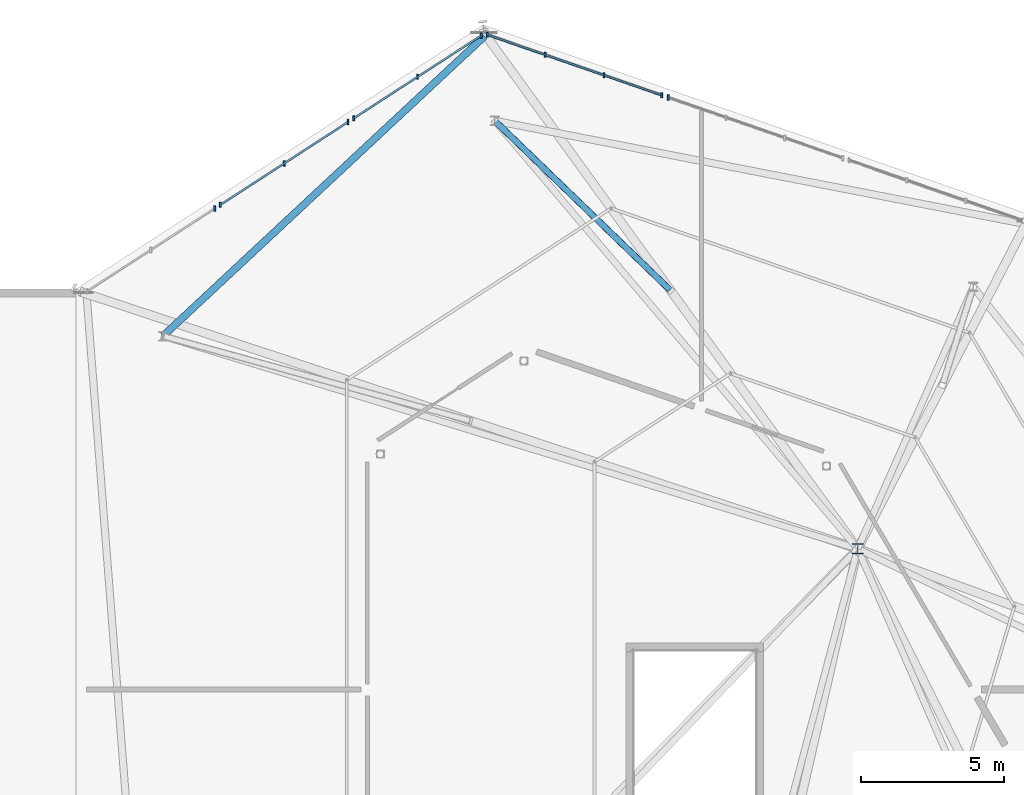
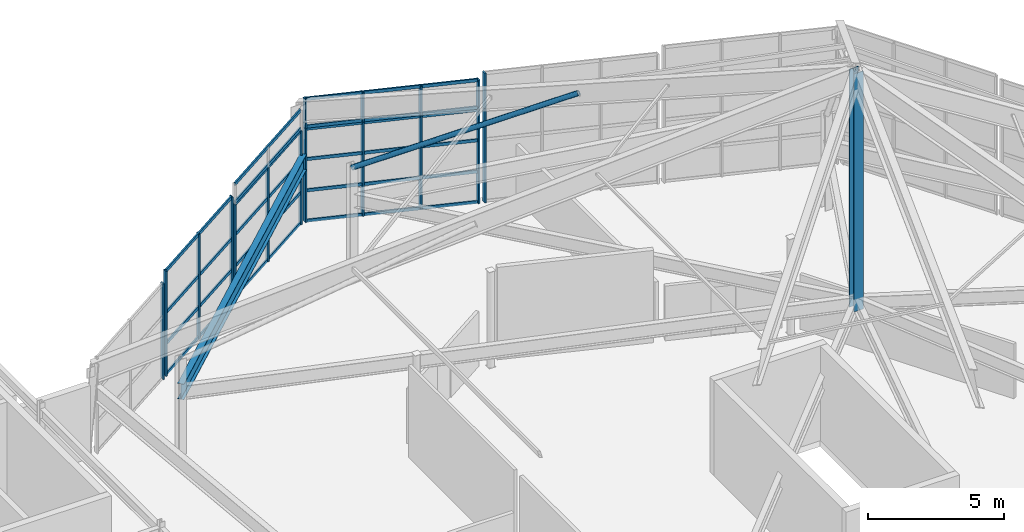
# One storey, part 19 of 50: 35 members, 1 beam, 8 elements without a shape of their own.
"""IFC4 building model written with IfcOpenShell, lengths in metres."""

from ifc_helpers import new_model, si_unit, direction, frame, origin, origin_2d, place, context, subcontext, project, spatial, rectangle, hollow_circle, i_section, extrude, material, material_profile, profile_set, type_object, element, aggregate, save


model = new_model("IFC4")

# Units and contexts
model_context = context("Model", 3, precision=1e-05, world=origin(), true_north=direction((0.0, 1.0)))
body_context = subcontext(model_context, "Body", "Model", "MODEL_VIEW")
ifc_project = project(units=[si_unit("LENGTHUNIT", "METRE"), si_unit("AREAUNIT", "SQUARE_METRE"), si_unit("VOLUMEUNIT", "CUBIC_METRE"), si_unit("PLANEANGLEUNIT", "RADIAN"), si_unit("MASSUNIT", "GRAM", prefix="KILO")], contexts=[model_context])

# Site, building, storey
site_placement = place(None, origin())
site = spatial("IfcSite", under=ifc_project, at=site_placement, CompositionType="ELEMENT")
building_placement = place(site_placement, origin())
building = spatial("IfcBuilding", under=site, at=building_placement, Name="Sarnbrook Museum", CompositionType="ELEMENT")
storey_placement = place(building_placement, frame((0.0, 0.0, 28.10009765625)))
storey = spatial("IfcBuildingStorey", under=building, at=storey_placement, Name="L05", CompositionType="ELEMENT", Elevation=28.10009765625)

# Beam
ifc_material_1 = material(Name="Structural Steel Grade 350L0 (AS/NZS 3678, fy = 340 MPa for 20 < t <= 40 mm)", Category="steel")
ifc_material_profile_1 = material_profile(ifc_material_1, i_section(OverallWidth=0.25, OverallDepth=0.699951171875, WebThickness=0.010009765625, FlangeThickness=0.01611328125, at=origin_2d()), Name="700WB130")
ifc_profile_set_1 = profile_set([ifc_material_profile_1], Name="Structural Steel Grade 350L0 (AS/NZS 3678, fy = 340 MPa for 20 < t <= 40 mm)")
beam_type = type_object("IfcBeamType", Name="BM-WB700", PredefinedType="BEAM", material=ifc_profile_set_1)
beam_placement = place(storey_placement, frame((136.445556640625, 111.426513671875, 2.75), z_axis=(-0.731381498556, -0.681968550279, 0.0), x_axis=(0.681968550279, -0.731381498556, 0.0)))
element("IfcBeam", 1, at=beam_placement, inside=storey, type_object=beam_type, Name="Crystal Roof Eaves Tie Girder ST-6", PredefinedType="BEAM", context=body_context, shape_type="SweptSolid", body=[
    extrude(i_section(OverallWidth=0.25, OverallDepth=0.699951171875, WebThickness=0.010009765625, FlangeThickness=0.01611328125, at=origin_2d()), origin(), (0.0, 0.0, 1.0), 15.375732421875),
])

# Member
ifc_material_profile_2 = material_profile(ifc_material_1, i_section(OverallWidth=0.39990234375, OverallDepth=0.382080078125, WebThickness=0.02490234375, FlangeThickness=0.035888671875, at=origin_2d()), Name="400WC270")
ifc_profile_set_2 = profile_set([ifc_material_profile_2], Name="Structural Steel Grade 350L0 (AS/NZS 3678, fy = 340 MPa for 20 < t <= 40 mm)")
member_type_1 = type_object("IfcMemberType", Name="CH-WC400", PredefinedType="CHORD", material=ifc_profile_set_2)
member_1_placement = place(storey_placement, frame((149.5, 93.5, 2.5), z_axis=(0.0, 0.0, 1.0), x_axis=(1.0, 0.0, 0.0)))
element("IfcMember", 2, at=member_1_placement, inside=storey, type_object=member_type_1, Name="Crystal Roof Apex Hub Post", PredefinedType="CHORD", context=body_context, shape_type="SweptSolid", body=[
    extrude(i_section(OverallWidth=0.39990234375, OverallDepth=0.382080078125, WebThickness=0.02490234375, FlangeThickness=0.035888671875, at=origin_2d()), origin(), (0.0, 0.0, 1.0), 10.64990234375),
])

# Curtain wall, member
ifc_material_2 = material(Name="Thermally Broken Anodised Aluminium 6063-T6", Category="aluminium")
curtain_wall_type_1 = type_object("IfcCurtainWallType", Name="CurtainWall_CrystalFacet", PredefinedType="NOTDEFINED", material=ifc_material_2)
curtain_wall_1_placement = place(storey_placement, origin())
curtain_wall_1 = element("IfcCurtainWall", 3, at=curtain_wall_1_placement, inside=storey, type_object=curtain_wall_type_1, Name="Crystal Hall Facet Curtain Wall L05-F5.2", PredefinedType="NOTDEFINED")
ifc_material_profile_3 = material_profile(ifc_material_2, rectangle(XDim=0.06494140625, YDim=0.179931640625, at=origin_2d()), Name="ALU MULLION 65x180")
ifc_profile_set_3 = profile_set([ifc_material_profile_3], Name="Thermally Broken Anodised Aluminium 6063-T6")
member_type_2 = type_object("IfcMemberType", Name="CW_Mullion_180x75", PredefinedType="MULLION", material=ifc_profile_set_3)
member_2_placement = place(storey_placement, frame((142.87255859375, 109.28271484375, 0.0), z_axis=(0.0, 0.0, 1.0), x_axis=(1.0, 0.0, 0.0)))
member_2 = element("IfcMember", 4, at=member_2_placement, type_object=member_type_2, Name="Crystal Hall Facet Curtain Wall L05-F5.2 Mullion 4", PredefinedType="MULLION", context=body_context, shape_type="SweptSolid", body=[
    extrude(rectangle(XDim=0.06494140625, YDim=0.179931640625, at=origin_2d()), origin(), (0.0, 0.0, 1.0), 4.199951171875),
])
aggregate(curtain_wall_1, [member_2])

curtain_wall_type_2 = type_object("IfcCurtainWallType", Name="CurtainWall_Sawtooth", PredefinedType="NOTDEFINED", material=ifc_material_2)
curtain_wall_2_placement = place(storey_placement, origin())
curtain_wall_2 = element("IfcCurtainWall", 5, at=curtain_wall_2_placement, inside=storey, type_object=curtain_wall_type_2, Name="Crystal Roof Folded Eaves Clerestory 9", PredefinedType="NOTDEFINED")
member_3_placement = place(storey_placement, frame((142.87255859375, 109.28271484375, 4.219970703125), z_axis=(0.0, 0.0, 1.0), x_axis=(1.0, 0.0, 0.0)))
member_3 = element("IfcMember", 6, at=member_3_placement, type_object=member_type_2, Name="Crystal Roof Folded Eaves Clerestory 9 Mullion 4", PredefinedType="MULLION", context=body_context, shape_type="SweptSolid", body=[
    extrude(rectangle(XDim=0.06494140625, YDim=0.179931640625, at=origin_2d()), origin(), (0.0, 0.0, 1.0), 1.593017578125),
])
aggregate(curtain_wall_2, [member_3])

# Curtain wall, members
curtain_wall_3_placement = place(storey_placement, origin())
curtain_wall_3 = element("IfcCurtainWall", 7, at=curtain_wall_3_placement, inside=storey, type_object=curtain_wall_type_1, Name="Crystal Hall Facet Curtain Wall L05-F5.3", PredefinedType="NOTDEFINED")
member_4_placement = place(storey_placement, frame((142.645751953125, 109.361328125, 0.0), z_axis=(0.0, 0.0, 1.0), x_axis=(1.0, 0.0, 0.0)))
member_4 = element("IfcMember", 8, at=member_4_placement, type_object=member_type_2, Name="Crystal Hall Facet Curtain Wall L05-F5.3 Mullion 1", PredefinedType="MULLION", context=body_context, shape_type="SweptSolid", body=[
    extrude(rectangle(XDim=0.06494140625, YDim=0.179931640625, at=origin_2d()), origin(), (0.0, 0.0, 1.0), 4.199951171875),
])
member_5_placement = place(storey_placement, frame((140.62548828125, 110.062744140625, 0.0), z_axis=(0.0, 0.0, 1.0), x_axis=(1.0, 0.0, 0.0)))
member_5 = element("IfcMember", 9, at=member_5_placement, type_object=member_type_2, Name="Crystal Hall Facet Curtain Wall L05-F5.3 Mullion 2", PredefinedType="MULLION", context=body_context, shape_type="SweptSolid", body=[
    extrude(rectangle(XDim=0.06494140625, YDim=0.179931640625, at=origin_2d()), origin(), (0.0, 0.0, 1.0), 4.199951171875),
])
member_6_placement = place(storey_placement, frame((138.56787109375, 110.77734375, 0.0), z_axis=(0.0, 0.0, 1.0), x_axis=(1.0, 0.0, 0.0)))
member_6 = element("IfcMember", 10, at=member_6_placement, type_object=member_type_2, Name="Crystal Hall Facet Curtain Wall L05-F5.3 Mullion 3", PredefinedType="MULLION", context=body_context, shape_type="SweptSolid", body=[
    extrude(rectangle(XDim=0.06494140625, YDim=0.179931640625, at=origin_2d()), origin(), (0.0, 0.0, 1.0), 4.199951171875),
])
member_7_placement = place(storey_placement, frame((136.547607421875, 111.478759765625, 0.0), z_axis=(0.0, 0.0, 1.0), x_axis=(1.0, 0.0, 0.0)))
member_7 = element("IfcMember", 11, at=member_7_placement, type_object=member_type_2, Name="Crystal Hall Facet Curtain Wall L05-F5.3 Mullion 4", PredefinedType="MULLION", context=body_context, shape_type="SweptSolid", body=[
    extrude(rectangle(XDim=0.06494140625, YDim=0.179931640625, at=origin_2d()), origin(), (0.0, 0.0, 1.0), 4.199951171875),
])

curtain_wall_4_placement = place(storey_placement, origin())
curtain_wall_4 = element("IfcCurtainWall", 12, at=curtain_wall_4_placement, inside=storey, type_object=curtain_wall_type_2, Name="Crystal Roof Folded Eaves Clerestory 10", PredefinedType="NOTDEFINED")
member_8_placement = place(storey_placement, frame((142.645751953125, 109.361328125, 4.219970703125), z_axis=(0.0, 0.0, 1.0), x_axis=(1.0, 0.0, 0.0)))
member_8 = element("IfcMember", 13, at=member_8_placement, type_object=member_type_2, Name="Crystal Roof Folded Eaves Clerestory 10 Mullion 1", PredefinedType="MULLION", context=body_context, shape_type="SweptSolid", body=[
    extrude(rectangle(XDim=0.06494140625, YDim=0.179931640625, at=origin_2d()), origin(), (0.0, 0.0, 1.0), 1.309814453125),
])
member_9_placement = place(storey_placement, frame((140.62548828125, 110.062744140625, 4.219970703125), z_axis=(0.0, 0.0, 1.0), x_axis=(1.0, 0.0, 0.0)))
member_9 = element("IfcMember", 14, at=member_9_placement, type_object=member_type_2, Name="Crystal Roof Folded Eaves Clerestory 10 Mullion 2", PredefinedType="MULLION", context=body_context, shape_type="SweptSolid", body=[
    extrude(rectangle(XDim=0.06494140625, YDim=0.179931640625, at=origin_2d()), origin(), (0.0, 0.0, 1.0), 1.309814453125),
])
member_10_placement = place(storey_placement, frame((138.56787109375, 110.77734375, 4.219970703125), z_axis=(0.0, 0.0, 1.0), x_axis=(1.0, 0.0, 0.0)))
member_10 = element("IfcMember", 15, at=member_10_placement, type_object=member_type_2, Name="Crystal Roof Folded Eaves Clerestory 10 Mullion 3", PredefinedType="MULLION", context=body_context, shape_type="SweptSolid", body=[
    extrude(rectangle(XDim=0.06494140625, YDim=0.179931640625, at=origin_2d()), origin(), (0.0, 0.0, 1.0), 1.309814453125),
])
member_11_placement = place(storey_placement, frame((136.547607421875, 111.478759765625, 4.219970703125), z_axis=(0.0, 0.0, 1.0), x_axis=(1.0, 0.0, 0.0)))
member_11 = element("IfcMember", 16, at=member_11_placement, type_object=member_type_2, Name="Crystal Roof Folded Eaves Clerestory 10 Mullion 4", PredefinedType="MULLION", context=body_context, shape_type="SweptSolid", body=[
    extrude(rectangle(XDim=0.06494140625, YDim=0.179931640625, at=origin_2d()), origin(), (0.0, 0.0, 1.0), 1.309814453125),
])

curtain_wall_5_placement = place(storey_placement, origin())
curtain_wall_5 = element("IfcCurtainWall", 17, at=curtain_wall_5_placement, inside=storey, type_object=curtain_wall_type_1, Name="Crystal Hall Facet Curtain Wall L05-F6.1", PredefinedType="NOTDEFINED")
member_12_placement = place(storey_placement, frame((136.33349609375, 111.452880859375, 0.0), z_axis=(0.0, 0.0, 1.0), x_axis=(1.0, 0.0, 0.0)))
member_12 = element("IfcMember", 18, at=member_12_placement, type_object=member_type_2, Name="Crystal Hall Facet Curtain Wall L05-F6.1 Mullion 1", PredefinedType="MULLION", context=body_context, shape_type="SweptSolid", body=[
    extrude(rectangle(XDim=0.06494140625, YDim=0.179931640625, at=origin_2d()), origin(), (0.0, 0.0, 1.0), 4.199951171875),
])
member_13_placement = place(storey_placement, frame((134.10205078125, 110.0048828125, 0.0), z_axis=(0.0, 0.0, 1.0), x_axis=(1.0, 0.0, 0.0)))
member_13 = element("IfcMember", 19, at=member_13_placement, type_object=member_type_2, Name="Crystal Hall Facet Curtain Wall L05-F6.1 Mullion 2", PredefinedType="MULLION", context=body_context, shape_type="SweptSolid", body=[
    extrude(rectangle(XDim=0.06494140625, YDim=0.179931640625, at=origin_2d()), origin(), (0.0, 0.0, 1.0), 4.199951171875),
])
member_14_placement = place(storey_placement, frame((131.87060546875, 108.55712890625, 0.0), z_axis=(0.0, 0.0, 1.0), x_axis=(1.0, 0.0, 0.0)))
member_14 = element("IfcMember", 20, at=member_14_placement, type_object=member_type_2, Name="Crystal Hall Facet Curtain Wall L05-F6.1 Mullion 3", PredefinedType="MULLION", context=body_context, shape_type="SweptSolid", body=[
    extrude(rectangle(XDim=0.06494140625, YDim=0.179931640625, at=origin_2d()), origin(), (0.0, 0.0, 1.0), 4.199951171875),
])

curtain_wall_6_placement = place(storey_placement, origin())
curtain_wall_6 = element("IfcCurtainWall", 21, at=curtain_wall_6_placement, inside=storey, type_object=curtain_wall_type_1, Name="Crystal Hall Facet Curtain Wall L05-F6.2", PredefinedType="NOTDEFINED")
member_15_placement = place(storey_placement, frame((131.669189453125, 108.426513671875, 0.0), z_axis=(0.0, 0.0, 1.0), x_axis=(1.0, 0.0, 0.0)))
member_15 = element("IfcMember", 22, at=member_15_placement, type_object=member_type_2, Name="Crystal Hall Facet Curtain Wall L05-F6.2 Mullion 1", PredefinedType="MULLION", context=body_context, shape_type="SweptSolid", body=[
    extrude(rectangle(XDim=0.06494140625, YDim=0.179931640625, at=origin_2d()), origin(), (0.0, 0.0, 1.0), 4.697021484375),
])
member_16_placement = place(storey_placement, frame((129.437744140625, 106.978759765625, 0.0), z_axis=(0.0, 0.0, 1.0), x_axis=(1.0, 0.0, 0.0)))
member_16 = element("IfcMember", 23, at=member_16_placement, type_object=member_type_2, Name="Crystal Hall Facet Curtain Wall L05-F6.2 Mullion 2", PredefinedType="MULLION", context=body_context, shape_type="SweptSolid", body=[
    extrude(rectangle(XDim=0.06494140625, YDim=0.179931640625, at=origin_2d()), origin(), (0.0, 0.0, 1.0), 4.697021484375),
])
member_17_placement = place(storey_placement, frame((127.206298828125, 105.53076171875, 0.0), z_axis=(0.0, 0.0, 1.0), x_axis=(1.0, 0.0, 0.0)))
member_17 = element("IfcMember", 24, at=member_17_placement, type_object=member_type_2, Name="Crystal Hall Facet Curtain Wall L05-F6.2 Mullion 3", PredefinedType="MULLION", context=body_context, shape_type="SweptSolid", body=[
    extrude(rectangle(XDim=0.06494140625, YDim=0.179931640625, at=origin_2d()), origin(), (0.0, 0.0, 1.0), 4.697021484375),
])

# Curtain wall, member
curtain_wall_7_placement = place(storey_placement, origin())
curtain_wall_7 = element("IfcCurtainWall", 25, at=curtain_wall_7_placement, inside=storey, type_object=curtain_wall_type_1, Name="Crystal Hall Facet Curtain Wall L05-F6.3", PredefinedType="NOTDEFINED")
member_18_placement = place(storey_placement, frame((127.0048828125, 105.400146484375, 0.0), z_axis=(0.0, 0.0, 1.0), x_axis=(1.0, 0.0, 0.0)))
member_18 = element("IfcMember", 26, at=member_18_placement, type_object=member_type_2, Name="Crystal Hall Facet Curtain Wall L05-F6.3 Mullion 1", PredefinedType="MULLION", context=body_context, shape_type="SweptSolid", body=[
    extrude(rectangle(XDim=0.06494140625, YDim=0.179931640625, at=origin_2d()), origin(), (0.0, 0.0, 1.0), 4.27978515625),
])
aggregate(curtain_wall_7, [member_18])

# Member
ifc_material_profile_4 = material_profile(ifc_material_2, rectangle(XDim=0.06494140625, YDim=0.139892578125, at=origin_2d()), Name="ALU TRANSOM 65x140")
ifc_profile_set_4 = profile_set([ifc_material_profile_4], Name="Thermally Broken Anodised Aluminium 6063-T6")
member_type_3 = type_object("IfcMemberType", Name="CW_Transom_150x65", PredefinedType="USERDEFINED", material=ifc_profile_set_4)
member_19_placement = place(storey_placement, frame((142.63623046875, 109.364501953125, 0.039794921875), z_axis=(-0.944659948464, 0.328051187726, 0.0), x_axis=(-0.328051187726, -0.944659948464, 0.0)))
member_19 = element("IfcMember", 27, at=member_19_placement, type_object=member_type_3, Name="Crystal Hall Facet Curtain Wall L05-F5.3 Transom 1", ObjectType="TRANSOM", PredefinedType="USERDEFINED", context=body_context, shape_type="SweptSolid", body=[
    extrude(rectangle(XDim=0.06494140625, YDim=0.139892578125, at=origin_2d()), origin(), (0.0, 0.0, 1.0), 6.435302734375),
])

member_20_placement = place(storey_placement, frame((142.63623046875, 109.364501953125, 1.39990234375), z_axis=(-0.944659948464, 0.328051187726, 0.0), x_axis=(-0.328051187726, -0.944659948464, 0.0)))
member_20 = element("IfcMember", 28, at=member_20_placement, type_object=member_type_3, Name="Crystal Hall Facet Curtain Wall L05-F5.3 Transom 2", ObjectType="TRANSOM", PredefinedType="USERDEFINED", context=body_context, shape_type="SweptSolid", body=[
    extrude(rectangle(XDim=0.06494140625, YDim=0.139892578125, at=origin_2d()), origin(), (0.0, 0.0, 1.0), 6.435302734375),
])

member_21_placement = place(storey_placement, frame((142.63623046875, 109.364501953125, 2.7998046875), z_axis=(-0.944659948464, 0.328051187726, 0.0), x_axis=(-0.328051187726, -0.944659948464, 0.0)))
member_21 = element("IfcMember", 29, at=member_21_placement, type_object=member_type_3, Name="Crystal Hall Facet Curtain Wall L05-F5.3 Transom 3", ObjectType="TRANSOM", PredefinedType="USERDEFINED", context=body_context, shape_type="SweptSolid", body=[
    extrude(rectangle(XDim=0.06494140625, YDim=0.139892578125, at=origin_2d()), origin(), (0.0, 0.0, 1.0), 6.435302734375),
])

member_22_placement = place(storey_placement, frame((142.63623046875, 109.364501953125, 4.159912109375), z_axis=(-0.944659948464, 0.328051187726, 0.0), x_axis=(-0.328051187726, -0.944659948464, 0.0)))
member_22 = element("IfcMember", 30, at=member_22_placement, type_object=member_type_3, Name="Crystal Hall Facet Curtain Wall L05-F5.3 Transom 4", ObjectType="TRANSOM", PredefinedType="USERDEFINED", context=body_context, shape_type="SweptSolid", body=[
    extrude(rectangle(XDim=0.06494140625, YDim=0.139892578125, at=origin_2d()), origin(), (0.0, 0.0, 1.0), 6.435302734375),
])

aggregate(curtain_wall_3, [member_4, member_5, member_6, member_7, member_19, member_20, member_21, member_22])

member_23_placement = place(storey_placement, frame((142.63623046875, 109.364501953125, 4.260009765625), z_axis=(-0.944659948464, 0.328051187726, 0.0), x_axis=(-0.328051187726, -0.944659948464, 0.0)))
member_23 = element("IfcMember", 31, at=member_23_placement, type_object=member_type_3, Name="Crystal Roof Folded Eaves Clerestory 10 Transom 1", ObjectType="TRANSOM", PredefinedType="USERDEFINED", context=body_context, shape_type="SweptSolid", body=[
    extrude(rectangle(XDim=0.06494140625, YDim=0.139892578125, at=origin_2d()), origin(), (0.0, 0.0, 1.0), 6.435302734375),
])

member_24_placement = place(storey_placement, frame((142.63623046875, 109.364501953125, 5.489990234375), z_axis=(-0.944659948464, 0.328051187726, 0.0), x_axis=(-0.328051187726, -0.944659948464, 0.0)))
member_24 = element("IfcMember", 32, at=member_24_placement, type_object=member_type_3, Name="Crystal Roof Folded Eaves Clerestory 10 Transom 2", ObjectType="TRANSOM", PredefinedType="USERDEFINED", context=body_context, shape_type="SweptSolid", body=[
    extrude(rectangle(XDim=0.06494140625, YDim=0.139892578125, at=origin_2d()), origin(), (0.0, 0.0, 1.0), 6.435302734375),
])

aggregate(curtain_wall_4, [member_8, member_9, member_10, member_11, member_23, member_24])

member_25_placement = place(storey_placement, frame((136.3251953125, 111.447265625, 0.039794921875), z_axis=(-0.83890216967, -0.544282233518, 0.0), x_axis=(0.544282233518, -0.83890216967, 0.0)))
member_25 = element("IfcMember", 33, at=member_25_placement, type_object=member_type_3, Name="Crystal Hall Facet Curtain Wall L05-F6.1 Transom 1", ObjectType="TRANSOM", PredefinedType="USERDEFINED", context=body_context, shape_type="SweptSolid", body=[
    extrude(rectangle(XDim=0.06494140625, YDim=0.139892578125, at=origin_2d()), origin(), (0.0, 0.0, 1.0), 5.300048828125),
])

member_26_placement = place(storey_placement, frame((136.3251953125, 111.447265625, 1.39990234375), z_axis=(-0.83890216967, -0.544282233518, 0.0), x_axis=(0.544282233518, -0.83890216967, 0.0)))
member_26 = element("IfcMember", 34, at=member_26_placement, type_object=member_type_3, Name="Crystal Hall Facet Curtain Wall L05-F6.1 Transom 2", ObjectType="TRANSOM", PredefinedType="USERDEFINED", context=body_context, shape_type="SweptSolid", body=[
    extrude(rectangle(XDim=0.06494140625, YDim=0.139892578125, at=origin_2d()), origin(), (0.0, 0.0, 1.0), 5.300048828125),
])

member_27_placement = place(storey_placement, frame((136.3251953125, 111.447265625, 2.7998046875), z_axis=(-0.83890216967, -0.544282233518, 0.0), x_axis=(0.544282233518, -0.83890216967, 0.0)))
member_27 = element("IfcMember", 35, at=member_27_placement, type_object=member_type_3, Name="Crystal Hall Facet Curtain Wall L05-F6.1 Transom 3", ObjectType="TRANSOM", PredefinedType="USERDEFINED", context=body_context, shape_type="SweptSolid", body=[
    extrude(rectangle(XDim=0.06494140625, YDim=0.139892578125, at=origin_2d()), origin(), (0.0, 0.0, 1.0), 5.300048828125),
])

member_28_placement = place(storey_placement, frame((136.3251953125, 111.447265625, 4.159912109375), z_axis=(-0.83890216967, -0.544282233518, 0.0), x_axis=(0.544282233518, -0.83890216967, 0.0)))
member_28 = element("IfcMember", 36, at=member_28_placement, type_object=member_type_3, Name="Crystal Hall Facet Curtain Wall L05-F6.1 Transom 4", ObjectType="TRANSOM", PredefinedType="USERDEFINED", context=body_context, shape_type="SweptSolid", body=[
    extrude(rectangle(XDim=0.06494140625, YDim=0.139892578125, at=origin_2d()), origin(), (0.0, 0.0, 1.0), 5.300048828125),
])

aggregate(curtain_wall_5, [member_12, member_13, member_14, member_25, member_26, member_27, member_28])

# Curtain wall, members
curtain_wall_8_placement = place(storey_placement, origin())
curtain_wall_8 = element("IfcCurtainWall", 37, at=curtain_wall_8_placement, inside=storey, type_object=curtain_wall_type_2, Name="Crystal Roof Folded Eaves Clerestory 11", PredefinedType="NOTDEFINED")
member_29_placement = place(storey_placement, frame((136.3251953125, 111.447265625, 4.260009765625), z_axis=(-0.83890216967, -0.544282233518, 0.0), x_axis=(0.544282233518, -0.83890216967, 0.0)))
member_29 = element("IfcMember", 38, at=member_29_placement, type_object=member_type_3, Name="Crystal Roof Folded Eaves Clerestory 11 Transom 1", ObjectType="TRANSOM", PredefinedType="USERDEFINED", context=body_context, shape_type="SweptSolid", body=[
    extrude(rectangle(XDim=0.06494140625, YDim=0.139892578125, at=origin_2d()), origin(), (0.0, 0.0, 1.0), 5.300048828125),
])
member_30_placement = place(storey_placement, frame((136.3251953125, 111.447265625, 5.072998046875), z_axis=(-0.83890216967, -0.544282233518, 0.0), x_axis=(0.544282233518, -0.83890216967, 0.0)))
member_30 = element("IfcMember", 39, at=member_30_placement, type_object=member_type_3, Name="Crystal Roof Folded Eaves Clerestory 11 Transom 2", ObjectType="TRANSOM", PredefinedType="USERDEFINED", context=body_context, shape_type="SweptSolid", body=[
    extrude(rectangle(XDim=0.06494140625, YDim=0.139892578125, at=origin_2d()), origin(), (0.0, 0.0, 1.0), 5.300048828125),
])
aggregate(curtain_wall_8, [member_29, member_30])

# Member
member_31_placement = place(storey_placement, frame((131.660888671875, 108.4208984375, 0.039794921875), z_axis=(-0.838923201986, -0.544249815038, 0.0), x_axis=(0.544249815038, -0.838923201986, 0.0)))
member_31 = element("IfcMember", 40, at=member_31_placement, type_object=member_type_3, Name="Crystal Hall Facet Curtain Wall L05-F6.2 Transom 1", ObjectType="TRANSOM", PredefinedType="USERDEFINED", context=body_context, shape_type="SweptSolid", body=[
    extrude(rectangle(XDim=0.06494140625, YDim=0.139892578125, at=origin_2d()), origin(), (0.0, 0.0, 1.0), 5.300048828125),
])

member_32_placement = place(storey_placement, frame((131.660888671875, 108.4208984375, 1.39990234375), z_axis=(-0.838923201986, -0.544249815038, 0.0), x_axis=(0.544249815038, -0.838923201986, 0.0)))
member_32 = element("IfcMember", 41, at=member_32_placement, type_object=member_type_3, Name="Crystal Hall Facet Curtain Wall L05-F6.2 Transom 2", ObjectType="TRANSOM", PredefinedType="USERDEFINED", context=body_context, shape_type="SweptSolid", body=[
    extrude(rectangle(XDim=0.06494140625, YDim=0.139892578125, at=origin_2d()), origin(), (0.0, 0.0, 1.0), 5.300048828125),
])

member_33_placement = place(storey_placement, frame((131.660888671875, 108.4208984375, 2.7998046875), z_axis=(-0.838923201986, -0.544249815038, 0.0), x_axis=(0.544249815038, -0.838923201986, 0.0)))
member_33 = element("IfcMember", 42, at=member_33_placement, type_object=member_type_3, Name="Crystal Hall Facet Curtain Wall L05-F6.2 Transom 3", ObjectType="TRANSOM", PredefinedType="USERDEFINED", context=body_context, shape_type="SweptSolid", body=[
    extrude(rectangle(XDim=0.06494140625, YDim=0.139892578125, at=origin_2d()), origin(), (0.0, 0.0, 1.0), 5.300048828125),
])

member_34_placement = place(storey_placement, frame((131.660888671875, 108.4208984375, 4.656982421875), z_axis=(-0.838923201986, -0.544249815038, 0.0), x_axis=(0.544249815038, -0.838923201986, 0.0)))
member_34 = element("IfcMember", 43, at=member_34_placement, type_object=member_type_3, Name="Crystal Hall Facet Curtain Wall L05-F6.2 Transom 4", ObjectType="TRANSOM", PredefinedType="USERDEFINED", context=body_context, shape_type="SweptSolid", body=[
    extrude(rectangle(XDim=0.06494140625, YDim=0.139892578125, at=origin_2d()), origin(), (0.0, 0.0, 1.0), 5.300048828125),
])

aggregate(curtain_wall_6, [member_15, member_16, member_17, member_31, member_32, member_33, member_34])

ifc_material_3 = material(Name="Structural Steel Hollow Section Grade C350L0 (AS/NZS 1163, fy = 350 MPa)", Category="steel")
ifc_material_profile_5 = material_profile(ifc_material_3, hollow_circle(Radius=0.109619140625, WallThickness=0.00830078125, at=origin_2d()), Name="219.1x8.2CHS")
ifc_profile_set_5 = profile_set([ifc_material_profile_5], Name="Structural Steel Hollow Section Grade C350L0 (AS/NZS 1163, fy = 350 MPa)")
member_type_4 = type_object("IfcMemberType", Name="MB-CHS219", PredefinedType="BRACE", material=ifc_profile_set_5)
member_35_placement = place(storey_placement, frame((136.803955078125, 108.469482421875, 4.14990234375), z_axis=(0.627771709214, -0.606006900372, 0.488526680758), x_axis=(0.694524812137, 0.719468752154, 0.0)))
element("IfcMember", 44, at=member_35_placement, inside=storey, type_object=member_type_4, Name="Crystal Sawtooth Truss Web Strut ST-6", PredefinedType="BRACE", context=body_context, shape_type="SweptSolid", body=[
    extrude(hollow_circle(Radius=0.109619140625, WallThickness=0.00830078125, at=origin_2d()), origin(), (0.0, 0.0, 1.0), 9.815185546875),
])

save(model, "model.ifc")
